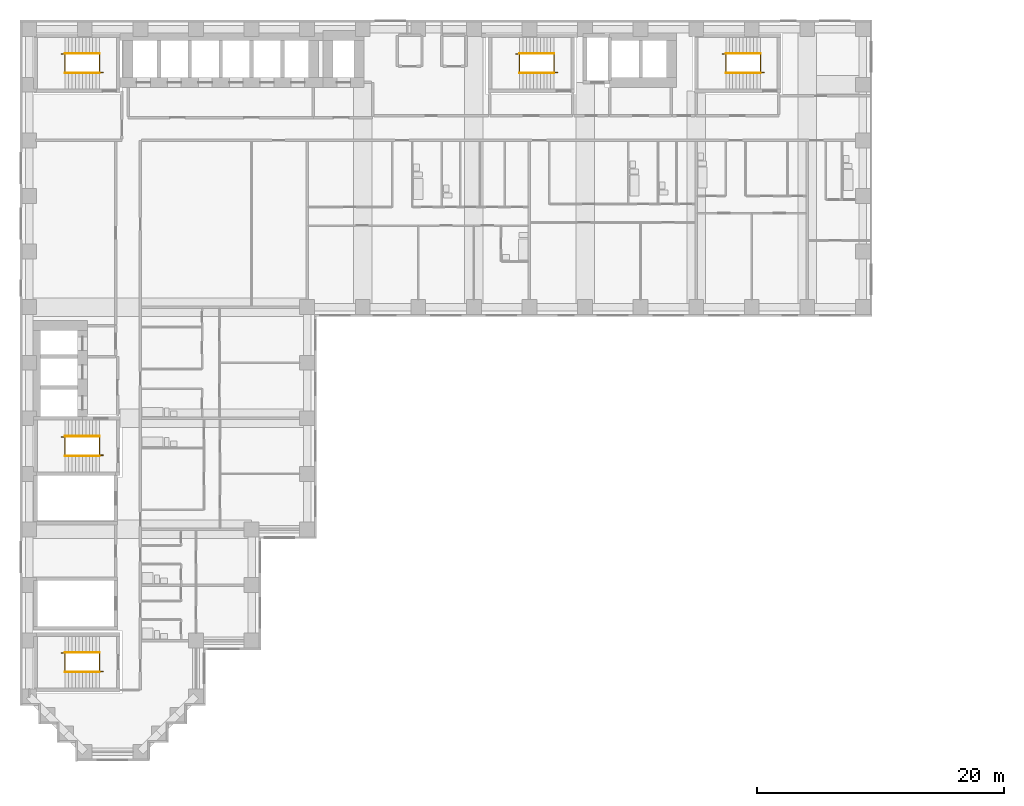
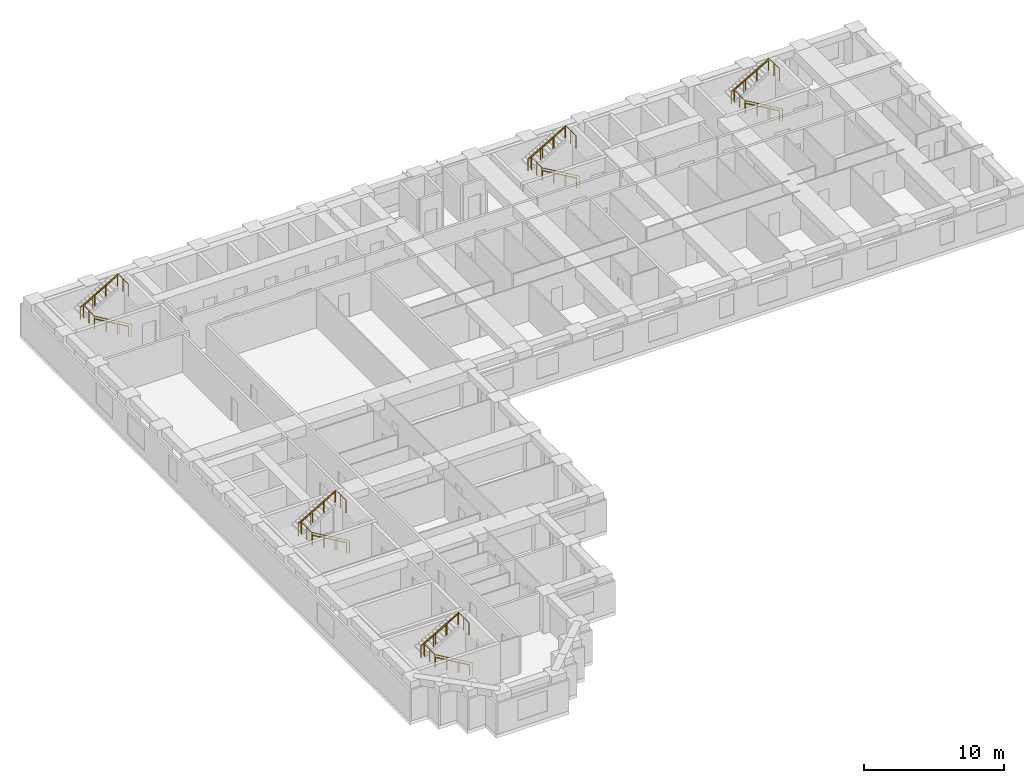
# One storey, part 11 of 12: 15 railings.
"""IFC4 building model written with IfcOpenShell, lengths in metres."""

import ifcopenshell
import ifcopenshell.guid

model = None  # the IFC model being written
_history = None  # IfcOwnerHistory: only IFC2X3 demands one
_inside = {}  # id of a spatial element -> (the spatial element, [elements in it])
_under = {}  # id of a project, library or spatial element -> (it, [spatial elements below it])
_declared = {}  # id of a project -> (the project, [libraries it declares])
_typed = {}  # id of a type object -> (the type object, [elements of that type])
_made_of = {}  # id of a material, layer set ... -> (it, [elements and type objects made of it])


def new_model(schema):
    """Start an empty IFC model of exactly this schema.

    Asked for "IFC4X3", IfcOpenShell would pick the latest addendum, in which some entities
    have other attributes; the version numbers below select the first issue.
    IFC2X3 requires an IfcOwnerHistory on every rooted entity: one is made here for all.
    """
    global model, _history
    if schema == "IFC4X3":
        model = ifcopenshell.file(schema_version=(4, 3, 0, 0))
    else:
        model = ifcopenshell.file(schema=schema)
    _inside.clear()
    _under.clear()
    _declared.clear()
    _typed.clear()
    _made_of.clear()
    _history = None
    if model.schema == "IFC2X3":
        org = make("IfcOrganization", Name="unknown")
        user = make(
            "IfcPersonAndOrganization",
            ThePerson=make("IfcPerson", FamilyName="unknown"),
            TheOrganization=org,
        )
        app = make(
            "IfcApplication",
            ApplicationDeveloper=org,
            Version="unknown",
            ApplicationFullName="unknown",
            ApplicationIdentifier="unknown",
        )
        _history = make(
            "IfcOwnerHistory",
            OwningUser=user,
            OwningApplication=app,
            ChangeAction="ADDED",
            CreationDate=0,
        )
    return model


def make(cls, **values):
    """One entity of the class cls with the attributes given. An attribute that is None is left unset."""
    return model.create_entity(
        cls, **{name: value for name, value in values.items() if value is not None}
    )


def rooted(cls, **values):
    """An entity with a GlobalId (a new one), such as an element, a storey or a relation."""
    return make(cls, GlobalId=ifcopenshell.guid.new(), OwnerHistory=_history, **values)


def si_unit(unit_type, name, prefix=None):
    """IfcSIUnit, for example si_unit("LENGTHUNIT", "METRE", prefix="MILLI")."""
    return make("IfcSIUnit", UnitType=unit_type, Prefix=prefix, Name=name)


def assignment(units):
    """IfcUnitAssignment: the units of a project."""
    return None if units is None else make("IfcUnitAssignment", Units=units)


def point(xyz):
    """IfcCartesianPoint."""
    return None if xyz is None else make("IfcCartesianPoint", Coordinates=xyz)


def direction(xyz):
    """IfcDirection."""
    return None if xyz is None else make("IfcDirection", DirectionRatios=xyz)


def frame(location, z_axis=None, x_axis=None):
    """IfcAxis2Placement3D, a coordinate frame: its origin and axes. An axis left out is left unset."""
    return make(
        "IfcAxis2Placement3D",
        Location=point(location),
        Axis=direction(z_axis),
        RefDirection=direction(x_axis),
    )


def frame_2d(location, x_axis=None):
    """IfcAxis2Placement2D, a coordinate frame in the plane: its origin and x axis."""
    return make(
        "IfcAxis2Placement2D", Location=point(location), RefDirection=direction(x_axis)
    )


def origin():
    """The frame at (0, 0, 0) with its axes left unset."""
    return frame((0.0, 0.0, 0.0))


def origin_2d():
    """The frame at (0, 0) in the plane with its x axis left unset."""
    return frame_2d((0.0, 0.0))


def place(relative_to, where):
    """IfcLocalPlacement: puts the frame where relative to a parent placement (None: the world)."""
    return make(
        "IfcLocalPlacement", PlacementRelTo=relative_to, RelativePlacement=where
    )


def context(
    kind, dimensions, precision=None, world=None, true_north=None, identifier=None
):
    """IfcGeometricRepresentationContext, for example the 3D "Model" context."""
    return make(
        "IfcGeometricRepresentationContext",
        ContextIdentifier=identifier,
        ContextType=kind,
        CoordinateSpaceDimension=dimensions,
        Precision=precision,
        WorldCoordinateSystem=world,
        TrueNorth=true_north,
    )


def subcontext(parent, identifier, kind, view, scale=None):
    """IfcGeometricRepresentationSubContext, for example "Body" below "Model"."""
    return make(
        "IfcGeometricRepresentationSubContext",
        ContextIdentifier=identifier,
        ContextType=kind,
        ParentContext=parent,
        TargetScale=scale,
        TargetView=view,
    )


def project(units=None, contexts=None):
    """IfcProject with its units and contexts."""
    return rooted(
        "IfcProject",
        Name="project",
        RepresentationContexts=contexts,
        UnitsInContext=assignment(units),
    )


def spatial(cls, under=None, at=None, **own):
    """A site, building, storey or space (cls), placed at a placement, below another one or the project."""
    s = rooted(cls, ObjectPlacement=at, **own)
    if under is not None:
        _under.setdefault(under.id(), (under, []))[1].append(s)
    return s


def profile(cls, at=None, kind="AREA", **sizes):
    """A parametric profile (cls). Its sizes go by their IFC names, for example OverallWidth=200.0."""
    return make(cls, ProfileType=kind, Position=at, **sizes)


def circle(**sizes):
    """IfcCircleProfileDef."""
    return profile("IfcCircleProfileDef", **sizes)


def extrude(swept, where, along, depth):
    """IfcExtrudedAreaSolid: the profile swept, set in the frame where, extruded along a direction by depth."""
    return make(
        "IfcExtrudedAreaSolid",
        SweptArea=swept,
        Position=where,
        ExtrudedDirection=direction(along),
        Depth=depth,
    )


def shape(context_of_items, identifier, shape_type, items):
    """IfcShapeRepresentation: the items that make up one representation, for example the "Body"."""
    return make(
        "IfcShapeRepresentation",
        ContextOfItems=context_of_items,
        RepresentationIdentifier=identifier,
        RepresentationType=shape_type,
        Items=items,
    )


def material(Name=None, Category=None):
    """IfcMaterial."""
    return make("IfcMaterial", Name=Name, Category=Category)


def made_of(thing, what):
    """Note that an element or type object is made of a material, layer set ...; save() writes the relation."""
    if what is not None:
        _made_of.setdefault(what.id(), (what, []))[1].append(thing)
    return thing


def type_object(cls, material=None, **own):
    """A type object (cls), such as IfcWallType, which elements share."""
    return made_of(rooted(cls, **own), material)


def element(
    cls,
    number,
    at=None,
    inside=None,
    cuts=None,
    type_object=None,
    material=None,
    context=None,
    identifier="Body",
    shape_type=None,
    held_by="IfcProductDefinitionShape",
    body=None,
    shapes=None,
    **own,
):
    """One element of the class cls, such as IfcWall. Its Tag is "e" and its number.

    at: its placement. inside: the storey or other place that contains it. cuts: it is an
    opening in that element (IfcRelVoidsElement). A single representation is given by context,
    identifier, shape_type and body (its items); several are given by shapes. held_by: the class
    of the entity that holds the representations. save() writes the other relations.
    """
    e = rooted(cls, Tag="e%d" % number, ObjectPlacement=at, **own)
    if body is not None:
        shapes = [shape(context, identifier, shape_type, body)]
    if shapes is not None:
        e.Representation = make(held_by, Representations=shapes)
    if inside is not None:
        _inside.setdefault(inside.id(), (inside, []))[1].append(e)
    if cuts is not None:
        rooted(
            "IfcRelVoidsElement", RelatingBuildingElement=cuts, RelatedOpeningElement=e
        )
    if type_object is not None:
        _typed.setdefault(type_object.id(), (type_object, []))[1].append(e)
    return made_of(e, material)


def aggregate(whole, parts):
    """IfcRelAggregates: a whole, such as a stair, and the parts it consists of."""
    return rooted("IfcRelAggregates", RelatingObject=whole, RelatedObjects=parts)


def save(model, path):
    """Write the relations noted so far, then the file.

    IfcRelAggregates (storeys below a building ...), IfcRelContainedInSpatialStructure (elements
    in a storey), IfcRelDefinesByType, IfcRelAssociatesMaterial and IfcRelDeclares: one each for
    every whole, place, type object, material and project.
    """
    for whole, parts in _under.values():
        aggregate(whole, parts)
    for where, things in _inside.values():
        rooted(
            "IfcRelContainedInSpatialStructure",
            RelatedElements=things,
            RelatingStructure=where,
        )
    for kind, things in _typed.values():
        rooted("IfcRelDefinesByType", RelatedObjects=things, RelatingType=kind)
    for what, things in _made_of.values():
        rooted("IfcRelAssociatesMaterial", RelatedObjects=things, RelatingMaterial=what)
    for by, libraries in _declared.values():
        rooted("IfcRelDeclares", RelatingContext=by, RelatedDefinitions=libraries)
    model.write(path)


model = new_model("IFC4")

# Units and contexts
model_context = context("Model", 3, precision=1e-05, world=origin(), true_north=direction((0.0, 1.0)))
body_context = subcontext(model_context, "Body", "Model", "MODEL_VIEW")
ifc_project = project(units=[si_unit("LENGTHUNIT", "METRE"), si_unit("AREAUNIT", "SQUARE_METRE"), si_unit("VOLUMEUNIT", "CUBIC_METRE"), si_unit("PLANEANGLEUNIT", "RADIAN"), si_unit("MASSUNIT", "GRAM", prefix="KILO")], contexts=[model_context])

# Site, building, storey
site_placement = place(None, origin())
site = spatial("IfcSite", under=ifc_project, at=site_placement, CompositionType="ELEMENT")
building_placement = place(site_placement, origin())
building = spatial("IfcBuilding", under=site, at=building_placement, Name="Firuza Court", CompositionType="ELEMENT")
storey_placement = place(building_placement, frame((0.0, 0.0, 36.199951171875)))
storey = spatial("IfcBuildingStorey", under=building, at=storey_placement, Name="L07", CompositionType="ELEMENT", Elevation=36.199951171875)

# Railings
ifc_material_1 = material(Name="Steel S355", Category="steel")
railing_type_1 = type_object("IfcRailingType", Name="Handrail 900", PredefinedType="HANDRAIL", material=ifc_material_1)
railing_1_placement = place(storey_placement, frame((42.5, 54.949951171875, 0.16357421875)))
element("IfcRailing", 1, at=railing_1_placement, inside=storey, type_object=railing_type_1, Name="Handrail S1 flight 1", PredefinedType="HANDRAIL", context=body_context, shape_type="SweptSolid", body=[
    extrude(circle(Radius=0.02490234375, at=origin_2d()), frame((0.0, 0.0, 0.875), z_axis=(-0.863360870873, 0.0, 0.504586966384), x_axis=(0.0, -1.0, 0.0)), (0.0, 0.0, 1.0), 3.2431640625),
    extrude(circle(Radius=0.02001953125, at=origin_2d()), origin(), (0.0, 0.0, 1.0), 0.849853515625),
    extrude(circle(Radius=0.02001953125, at=origin_2d()), frame((-0.933349609375, 0.0, 0.54541015625)), (0.0, 0.0, 1.0), 0.849853515625),
    extrude(circle(Radius=0.02001953125, at=origin_2d()), frame((-1.86669921875, 0.0, 1.091064453125)), (0.0, 0.0, 1.0), 0.849853515625),
    extrude(circle(Radius=0.02001953125, at=origin_2d()), frame((-2.800048828125, 0.0, 1.636474609375)), (0.0, 0.0, 1.0), 0.849853515625),
])
railing_2_placement = place(storey_placement, frame((39.699951171875, 56.550048828125, 1.963623046875)))
element("IfcRailing", 2, at=railing_2_placement, inside=storey, type_object=railing_type_1, Name="Handrail S1 flight 2", PredefinedType="HANDRAIL", context=body_context, shape_type="SweptSolid", body=[
    extrude(circle(Radius=0.02490234375, at=origin_2d()), frame((0.0, 0.0, 0.875), z_axis=(0.863360870873, 0.0, 0.504586966384), x_axis=(0.0, 1.0, 0.0)), (0.0, 0.0, 1.0), 3.2431640625),
    extrude(circle(Radius=0.02001953125, at=origin_2d()), origin(), (0.0, 0.0, 1.0), 0.849853515625),
    extrude(circle(Radius=0.02001953125, at=origin_2d()), frame((0.933349609375, 0.0, 0.54541015625)), (0.0, 0.0, 1.0), 0.849853515625),
    extrude(circle(Radius=0.02001953125, at=origin_2d()), frame((1.86669921875, 0.0, 1.091064453125)), (0.0, 0.0, 1.0), 0.849853515625),
    extrude(circle(Radius=0.02001953125, at=origin_2d()), frame((2.800048828125, 0.0, 1.636474609375)), (0.0, 0.0, 1.0), 0.849853515625),
])
railing_3_placement = place(storey_placement, frame((5.699951171875, 23.949951171875, 0.16357421875)))
element("IfcRailing", 3, at=railing_3_placement, inside=storey, type_object=railing_type_1, Name="Handrail S2 flight 1", PredefinedType="HANDRAIL", context=body_context, shape_type="SweptSolid", body=[
    extrude(circle(Radius=0.02490234375, at=origin_2d()), frame((0.0, 0.0, 0.875), z_axis=(-0.863360870873, 0.0, 0.504586966384), x_axis=(0.0, -1.0, 0.0)), (0.0, 0.0, 1.0), 3.2431640625),
    extrude(circle(Radius=0.02001953125, at=origin_2d()), origin(), (0.0, 0.0, 1.0), 0.849853515625),
    extrude(circle(Radius=0.02001953125, at=origin_2d()), frame((-0.933349609375, 0.0, 0.54541015625)), (0.0, 0.0, 1.0), 0.849853515625),
    extrude(circle(Radius=0.02001953125, at=origin_2d()), frame((-1.86669921875, 0.0, 1.091064453125)), (0.0, 0.0, 1.0), 0.849853515625),
    extrude(circle(Radius=0.02001953125, at=origin_2d()), frame((-2.800048828125, 0.0, 1.636474609375)), (0.0, 0.0, 1.0), 0.849853515625),
])
railing_4_placement = place(storey_placement, frame((2.89990234375, 25.550048828125, 1.963623046875)))
element("IfcRailing", 4, at=railing_4_placement, inside=storey, type_object=railing_type_1, Name="Handrail S2 flight 2", PredefinedType="HANDRAIL", context=body_context, shape_type="SweptSolid", body=[
    extrude(circle(Radius=0.02490234375, at=origin_2d()), frame((0.0, 0.0, 0.875), z_axis=(0.863360870873, 0.0, 0.504586966384), x_axis=(0.0, 1.0, 0.0)), (0.0, 0.0, 1.0), 3.2431640625),
    extrude(circle(Radius=0.02001953125, at=origin_2d()), origin(), (0.0, 0.0, 1.0), 0.849853515625),
    extrude(circle(Radius=0.02001953125, at=origin_2d()), frame((0.933349609375, 0.0, 0.54541015625)), (0.0, 0.0, 1.0), 0.849853515625),
    extrude(circle(Radius=0.02001953125, at=origin_2d()), frame((1.86669921875, 0.0, 1.091064453125)), (0.0, 0.0, 1.0), 0.849853515625),
    extrude(circle(Radius=0.02001953125, at=origin_2d()), frame((2.800048828125, 0.0, 1.636474609375)), (0.0, 0.0, 1.0), 0.849853515625),
])
railing_5_placement = place(storey_placement, frame((5.699951171875, 54.949951171875, 0.16357421875)))
element("IfcRailing", 5, at=railing_5_placement, inside=storey, type_object=railing_type_1, Name="Handrail S3 flight 1", PredefinedType="HANDRAIL", context=body_context, shape_type="SweptSolid", body=[
    extrude(circle(Radius=0.02490234375, at=origin_2d()), frame((0.0, 0.0, 0.875), z_axis=(-0.863360870873, 0.0, 0.504586966384), x_axis=(0.0, -1.0, 0.0)), (0.0, 0.0, 1.0), 3.2431640625),
    extrude(circle(Radius=0.02001953125, at=origin_2d()), origin(), (0.0, 0.0, 1.0), 0.849853515625),
    extrude(circle(Radius=0.02001953125, at=origin_2d()), frame((-0.933349609375, 0.0, 0.54541015625)), (0.0, 0.0, 1.0), 0.849853515625),
    extrude(circle(Radius=0.02001953125, at=origin_2d()), frame((-1.86669921875, 0.0, 1.091064453125)), (0.0, 0.0, 1.0), 0.849853515625),
    extrude(circle(Radius=0.02001953125, at=origin_2d()), frame((-2.800048828125, 0.0, 1.636474609375)), (0.0, 0.0, 1.0), 0.849853515625),
])
railing_6_placement = place(storey_placement, frame((2.89990234375, 56.550048828125, 1.963623046875)))
element("IfcRailing", 6, at=railing_6_placement, inside=storey, type_object=railing_type_1, Name="Handrail S3 flight 2", PredefinedType="HANDRAIL", context=body_context, shape_type="SweptSolid", body=[
    extrude(circle(Radius=0.02490234375, at=origin_2d()), frame((0.0, 0.0, 0.875), z_axis=(0.863360870873, 0.0, 0.504586966384), x_axis=(0.0, 1.0, 0.0)), (0.0, 0.0, 1.0), 3.2431640625),
    extrude(circle(Radius=0.02001953125, at=origin_2d()), origin(), (0.0, 0.0, 1.0), 0.849853515625),
    extrude(circle(Radius=0.02001953125, at=origin_2d()), frame((0.933349609375, 0.0, 0.54541015625)), (0.0, 0.0, 1.0), 0.849853515625),
    extrude(circle(Radius=0.02001953125, at=origin_2d()), frame((1.86669921875, 0.0, 1.091064453125)), (0.0, 0.0, 1.0), 0.849853515625),
    extrude(circle(Radius=0.02001953125, at=origin_2d()), frame((2.800048828125, 0.0, 1.636474609375)), (0.0, 0.0, 1.0), 0.849853515625),
])
railing_7_placement = place(storey_placement, frame((59.199951171875, 54.949951171875, 0.16357421875)))
element("IfcRailing", 7, at=railing_7_placement, inside=storey, type_object=railing_type_1, Name="Handrail S4 flight 1", PredefinedType="HANDRAIL", context=body_context, shape_type="SweptSolid", body=[
    extrude(circle(Radius=0.02490234375, at=origin_2d()), frame((0.0, 0.0, 0.875), z_axis=(-0.863360870873, 0.0, 0.504586966384), x_axis=(0.0, -1.0, 0.0)), (0.0, 0.0, 1.0), 3.2431640625),
    extrude(circle(Radius=0.02001953125, at=origin_2d()), origin(), (0.0, 0.0, 1.0), 0.849853515625),
    extrude(circle(Radius=0.02001953125, at=origin_2d()), frame((-0.933349609375, 0.0, 0.54541015625)), (0.0, 0.0, 1.0), 0.849853515625),
    extrude(circle(Radius=0.02001953125, at=origin_2d()), frame((-1.86669921875, 0.0, 1.091064453125)), (0.0, 0.0, 1.0), 0.849853515625),
    extrude(circle(Radius=0.02001953125, at=origin_2d()), frame((-2.800048828125, 0.0, 1.636474609375)), (0.0, 0.0, 1.0), 0.849853515625),
])
railing_8_placement = place(storey_placement, frame((56.39990234375, 56.550048828125, 1.963623046875)))
element("IfcRailing", 8, at=railing_8_placement, inside=storey, type_object=railing_type_1, Name="Handrail S4 flight 2", PredefinedType="HANDRAIL", context=body_context, shape_type="SweptSolid", body=[
    extrude(circle(Radius=0.02490234375, at=origin_2d()), frame((0.0, 0.0, 0.875), z_axis=(0.863360870873, 0.0, 0.504586966384), x_axis=(0.0, 1.0, 0.0)), (0.0, 0.0, 1.0), 3.2431640625),
    extrude(circle(Radius=0.02001953125, at=origin_2d()), origin(), (0.0, 0.0, 1.0), 0.849853515625),
    extrude(circle(Radius=0.02001953125, at=origin_2d()), frame((0.933349609375, 0.0, 0.54541015625)), (0.0, 0.0, 1.0), 0.849853515625),
    extrude(circle(Radius=0.02001953125, at=origin_2d()), frame((1.86669921875, 0.0, 1.091064453125)), (0.0, 0.0, 1.0), 0.849853515625),
    extrude(circle(Radius=0.02001953125, at=origin_2d()), frame((2.800048828125, 0.0, 1.636474609375)), (0.0, 0.0, 1.0), 0.849853515625),
])
railing_9_placement = place(storey_placement, frame((5.699951171875, 6.449951171875, 0.16357421875)))
element("IfcRailing", 9, at=railing_9_placement, inside=storey, type_object=railing_type_1, Name="Handrail S5 flight 1", PredefinedType="HANDRAIL", context=body_context, shape_type="SweptSolid", body=[
    extrude(circle(Radius=0.02490234375, at=origin_2d()), frame((0.0, 0.0, 0.875), z_axis=(-0.863360870873, 0.0, 0.504586966384), x_axis=(0.0, -1.0, 0.0)), (0.0, 0.0, 1.0), 3.2431640625),
    extrude(circle(Radius=0.02001953125, at=origin_2d()), origin(), (0.0, 0.0, 1.0), 0.849853515625),
    extrude(circle(Radius=0.02001953125, at=origin_2d()), frame((-0.933349609375, 0.0, 0.54541015625)), (0.0, 0.0, 1.0), 0.849853515625),
    extrude(circle(Radius=0.02001953125, at=origin_2d()), frame((-1.86669921875, 0.0, 1.091064453125)), (0.0, 0.0, 1.0), 0.849853515625),
    extrude(circle(Radius=0.02001953125, at=origin_2d()), frame((-2.800048828125, 0.0, 1.636474609375)), (0.0, 0.0, 1.0), 0.849853515625),
])
railing_10_placement = place(storey_placement, frame((2.89990234375, 8.050048828125, 1.963623046875)))
element("IfcRailing", 10, at=railing_10_placement, inside=storey, type_object=railing_type_1, Name="Handrail S5 flight 2", PredefinedType="HANDRAIL", context=body_context, shape_type="SweptSolid", body=[
    extrude(circle(Radius=0.02490234375, at=origin_2d()), frame((0.0, 0.0, 0.875), z_axis=(0.863360870873, 0.0, 0.504586966384), x_axis=(0.0, 1.0, 0.0)), (0.0, 0.0, 1.0), 3.2431640625),
    extrude(circle(Radius=0.02001953125, at=origin_2d()), origin(), (0.0, 0.0, 1.0), 0.849853515625),
    extrude(circle(Radius=0.02001953125, at=origin_2d()), frame((0.933349609375, 0.0, 0.54541015625)), (0.0, 0.0, 1.0), 0.849853515625),
    extrude(circle(Radius=0.02001953125, at=origin_2d()), frame((1.86669921875, 0.0, 1.091064453125)), (0.0, 0.0, 1.0), 0.849853515625),
    extrude(circle(Radius=0.02001953125, at=origin_2d()), frame((2.800048828125, 0.0, 1.636474609375)), (0.0, 0.0, 1.0), 0.849853515625),
])
ifc_material_2 = material(Name="Steel S355", Category="steel")
railing_type_2 = type_object("IfcRailingType", Name="Stair guard 1100", PredefinedType="GUARDRAIL", material=ifc_material_2)
railing_11_placement = place(storey_placement, frame((42.780029296875, 55.010009765625, 0.0)))
element("IfcRailing", 11, at=railing_11_placement, inside=storey, type_object=railing_type_2, Name="Stair well guard S1", PredefinedType="GUARDRAIL", context=body_context, shape_type="SweptSolid", body=[
    extrude(circle(Radius=0.02490234375, at=origin_2d()), frame((0.0, 0.0, 1.0751953125), z_axis=(-0.863371556955, 0.0, 0.504568681787), x_axis=(0.0, -1.0, 0.0)), (0.0, 0.0, 1.0), 3.5673828125),
    extrude(circle(Radius=0.02490234375, at=origin_2d()), frame((-3.080078125, 0.0, 2.875), z_axis=(0.0, 1.0, 0.0), x_axis=(-1.0, 0.0, 0.0)), (0.0, 0.0, 1.0), 1.47998046875),
    extrude(circle(Radius=0.02490234375, at=origin_2d()), frame((-3.080078125, 1.47998046875, 2.875), z_axis=(-1.0, 0.0, 0.0), x_axis=(0.0, -1.0, 0.0)), (0.0, 0.0, 1.0), 0.280029296875),
    extrude(circle(Radius=0.02490234375, at=origin_2d()), frame((-3.360107421875, 1.47998046875, 2.875), z_axis=(0.863371556955, 0.0, 0.504568681787), x_axis=(0.0, 1.0, 0.0)), (0.0, 0.0, 1.0), 3.5673828125),
    extrude(circle(Radius=0.02490234375, at=origin_2d()), frame((-0.280029296875, 1.47998046875, 4.67529296875), z_axis=(0.0, -1.0, 0.0), x_axis=(1.0, 0.0, 0.0)), (0.0, 0.0, 1.0), 1.47998046875),
    extrude(circle(Radius=0.02490234375, at=origin_2d()), origin(), (0.0, 0.0, 1.0), 1.050048828125),
    extrude(circle(Radius=0.02490234375, at=origin_2d()), frame((-1.026611328125, 0.0, 0.60009765625)), (0.0, 0.0, 1.0), 1.050048828125),
    extrude(circle(Radius=0.02490234375, at=origin_2d()), frame((-2.053466796875, 0.0, 1.199951171875)), (0.0, 0.0, 1.0), 1.050048828125),
    extrude(circle(Radius=0.02490234375, at=origin_2d()), frame((-3.080078125, 0.0, 1.800048828125)), (0.0, 0.0, 1.0), 1.050048828125),
    extrude(circle(Radius=0.02490234375, at=origin_2d()), frame((-3.080078125, 0.739990234375, 1.800048828125)), (0.0, 0.0, 1.0), 1.050048828125),
    extrude(circle(Radius=0.02490234375, at=origin_2d()), frame((-3.080078125, 1.47998046875, 1.800048828125)), (0.0, 0.0, 1.0), 1.050048828125),
    extrude(circle(Radius=0.02490234375, at=origin_2d()), frame((-3.360107421875, 1.47998046875, 1.800048828125)), (0.0, 0.0, 1.0), 1.050048828125),
    extrude(circle(Radius=0.02490234375, at=origin_2d()), frame((-2.33349609375, 1.47998046875, 2.400146484375)), (0.0, 0.0, 1.0), 1.050048828125),
    extrude(circle(Radius=0.02490234375, at=origin_2d()), frame((-1.306640625, 1.47998046875, 3.0)), (0.0, 0.0, 1.0), 1.050048828125),
    extrude(circle(Radius=0.02490234375, at=origin_2d()), frame((-0.280029296875, 1.47998046875, 3.60009765625)), (0.0, 0.0, 1.0), 1.050048828125),
    extrude(circle(Radius=0.02490234375, at=origin_2d()), frame((-0.280029296875, 0.739990234375, 3.60009765625)), (0.0, 0.0, 1.0), 1.050048828125),
    extrude(circle(Radius=0.02490234375, at=origin_2d()), frame((-0.280029296875, 0.0, 3.60009765625)), (0.0, 0.0, 1.0), 1.050048828125),
])
railing_12_placement = place(storey_placement, frame((5.97998046875, 24.010009765625, 0.0)))
element("IfcRailing", 12, at=railing_12_placement, inside=storey, type_object=railing_type_2, Name="Stair well guard S2", PredefinedType="GUARDRAIL", context=body_context, shape_type="SweptSolid", body=[
    extrude(circle(Radius=0.02490234375, at=origin_2d()), frame((0.0, 0.0, 1.0751953125), z_axis=(-0.863371556955, 0.0, 0.504568681787), x_axis=(0.0, -1.0, 0.0)), (0.0, 0.0, 1.0), 3.5673828125),
    extrude(circle(Radius=0.02490234375, at=origin_2d()), frame((-3.080078125, 0.0, 2.875), z_axis=(0.0, 1.0, 0.0), x_axis=(-1.0, 0.0, 0.0)), (0.0, 0.0, 1.0), 1.47998046875),
    extrude(circle(Radius=0.02490234375, at=origin_2d()), frame((-3.080078125, 1.47998046875, 2.875), z_axis=(-1.0, 0.0, 0.0), x_axis=(0.0, -1.0, 0.0)), (0.0, 0.0, 1.0), 0.27978515625),
    extrude(circle(Radius=0.02490234375, at=origin_2d()), frame((-3.35986328125, 1.47998046875, 2.875), z_axis=(0.863354132664, 0.0, 0.504598495452), x_axis=(0.0, 1.0, 0.0)), (0.0, 0.0, 1.0), 3.5673828125),
    extrude(circle(Radius=0.02490234375, at=origin_2d()), frame((-0.280029296875, 1.47998046875, 4.67529296875), z_axis=(0.0, -1.0, 0.0), x_axis=(1.0, 0.0, 0.0)), (0.0, 0.0, 1.0), 1.47998046875),
    extrude(circle(Radius=0.02490234375, at=origin_2d()), origin(), (0.0, 0.0, 1.0), 1.050048828125),
    extrude(circle(Radius=0.02490234375, at=origin_2d()), frame((-1.026611328125, 0.0, 0.60009765625)), (0.0, 0.0, 1.0), 1.050048828125),
    extrude(circle(Radius=0.02490234375, at=origin_2d()), frame((-2.053466796875, 0.0, 1.199951171875)), (0.0, 0.0, 1.0), 1.050048828125),
    extrude(circle(Radius=0.02490234375, at=origin_2d()), frame((-3.080078125, 0.0, 1.800048828125)), (0.0, 0.0, 1.0), 1.050048828125),
    extrude(circle(Radius=0.02490234375, at=origin_2d()), frame((-3.080078125, 0.739990234375, 1.800048828125)), (0.0, 0.0, 1.0), 1.050048828125),
    extrude(circle(Radius=0.02490234375, at=origin_2d()), frame((-3.080078125, 1.47998046875, 1.800048828125)), (0.0, 0.0, 1.0), 1.050048828125),
    extrude(circle(Radius=0.02490234375, at=origin_2d()), frame((-3.35986328125, 1.47998046875, 1.800048828125)), (0.0, 0.0, 1.0), 1.050048828125),
    extrude(circle(Radius=0.02490234375, at=origin_2d()), frame((-2.333251953125, 1.47998046875, 2.400146484375)), (0.0, 0.0, 1.0), 1.050048828125),
    extrude(circle(Radius=0.02490234375, at=origin_2d()), frame((-1.306640625, 1.47998046875, 3.0)), (0.0, 0.0, 1.0), 1.050048828125),
    extrude(circle(Radius=0.02490234375, at=origin_2d()), frame((-0.280029296875, 1.47998046875, 3.60009765625)), (0.0, 0.0, 1.0), 1.050048828125),
    extrude(circle(Radius=0.02490234375, at=origin_2d()), frame((-0.280029296875, 0.739990234375, 3.60009765625)), (0.0, 0.0, 1.0), 1.050048828125),
    extrude(circle(Radius=0.02490234375, at=origin_2d()), frame((-0.280029296875, 0.0, 3.60009765625)), (0.0, 0.0, 1.0), 1.050048828125),
])
railing_13_placement = place(storey_placement, frame((5.97998046875, 55.010009765625, 0.0)))
element("IfcRailing", 13, at=railing_13_placement, inside=storey, type_object=railing_type_2, Name="Stair well guard S3", PredefinedType="GUARDRAIL", context=body_context, shape_type="SweptSolid", body=[
    extrude(circle(Radius=0.02490234375, at=origin_2d()), frame((0.0, 0.0, 1.0751953125), z_axis=(-0.863371556955, 0.0, 0.504568681787), x_axis=(0.0, -1.0, 0.0)), (0.0, 0.0, 1.0), 3.5673828125),
    extrude(circle(Radius=0.02490234375, at=origin_2d()), frame((-3.080078125, 0.0, 2.875), z_axis=(0.0, 1.0, 0.0), x_axis=(-1.0, 0.0, 0.0)), (0.0, 0.0, 1.0), 1.47998046875),
    extrude(circle(Radius=0.02490234375, at=origin_2d()), frame((-3.080078125, 1.47998046875, 2.875), z_axis=(-1.0, 0.0, 0.0), x_axis=(0.0, -1.0, 0.0)), (0.0, 0.0, 1.0), 0.27978515625),
    extrude(circle(Radius=0.02490234375, at=origin_2d()), frame((-3.35986328125, 1.47998046875, 2.875), z_axis=(0.863354132664, 0.0, 0.504598495452), x_axis=(0.0, 1.0, 0.0)), (0.0, 0.0, 1.0), 3.5673828125),
    extrude(circle(Radius=0.02490234375, at=origin_2d()), frame((-0.280029296875, 1.47998046875, 4.67529296875), z_axis=(0.0, -1.0, 0.0), x_axis=(1.0, 0.0, 0.0)), (0.0, 0.0, 1.0), 1.47998046875),
    extrude(circle(Radius=0.02490234375, at=origin_2d()), origin(), (0.0, 0.0, 1.0), 1.050048828125),
    extrude(circle(Radius=0.02490234375, at=origin_2d()), frame((-1.026611328125, 0.0, 0.60009765625)), (0.0, 0.0, 1.0), 1.050048828125),
    extrude(circle(Radius=0.02490234375, at=origin_2d()), frame((-2.053466796875, 0.0, 1.199951171875)), (0.0, 0.0, 1.0), 1.050048828125),
    extrude(circle(Radius=0.02490234375, at=origin_2d()), frame((-3.080078125, 0.0, 1.800048828125)), (0.0, 0.0, 1.0), 1.050048828125),
    extrude(circle(Radius=0.02490234375, at=origin_2d()), frame((-3.080078125, 0.739990234375, 1.800048828125)), (0.0, 0.0, 1.0), 1.050048828125),
    extrude(circle(Radius=0.02490234375, at=origin_2d()), frame((-3.080078125, 1.47998046875, 1.800048828125)), (0.0, 0.0, 1.0), 1.050048828125),
    extrude(circle(Radius=0.02490234375, at=origin_2d()), frame((-3.35986328125, 1.47998046875, 1.800048828125)), (0.0, 0.0, 1.0), 1.050048828125),
    extrude(circle(Radius=0.02490234375, at=origin_2d()), frame((-2.333251953125, 1.47998046875, 2.400146484375)), (0.0, 0.0, 1.0), 1.050048828125),
    extrude(circle(Radius=0.02490234375, at=origin_2d()), frame((-1.306640625, 1.47998046875, 3.0)), (0.0, 0.0, 1.0), 1.050048828125),
    extrude(circle(Radius=0.02490234375, at=origin_2d()), frame((-0.280029296875, 1.47998046875, 3.60009765625)), (0.0, 0.0, 1.0), 1.050048828125),
    extrude(circle(Radius=0.02490234375, at=origin_2d()), frame((-0.280029296875, 0.739990234375, 3.60009765625)), (0.0, 0.0, 1.0), 1.050048828125),
    extrude(circle(Radius=0.02490234375, at=origin_2d()), frame((-0.280029296875, 0.0, 3.60009765625)), (0.0, 0.0, 1.0), 1.050048828125),
])
railing_14_placement = place(storey_placement, frame((59.47998046875, 55.010009765625, 0.0)))
element("IfcRailing", 14, at=railing_14_placement, inside=storey, type_object=railing_type_2, Name="Stair well guard S4", PredefinedType="GUARDRAIL", context=body_context, shape_type="SweptSolid", body=[
    extrude(circle(Radius=0.02490234375, at=origin_2d()), frame((0.0, 0.0, 1.0751953125), z_axis=(-0.863371556955, 0.0, 0.504568681787), x_axis=(0.0, -1.0, 0.0)), (0.0, 0.0, 1.0), 3.5673828125),
    extrude(circle(Radius=0.02490234375, at=origin_2d()), frame((-3.080078125, 0.0, 2.875), z_axis=(0.0, 1.0, 0.0), x_axis=(-1.0, 0.0, 0.0)), (0.0, 0.0, 1.0), 1.47998046875),
    extrude(circle(Radius=0.02490234375, at=origin_2d()), frame((-3.080078125, 1.47998046875, 2.875), z_axis=(-1.0, 0.0, 0.0), x_axis=(0.0, -1.0, 0.0)), (0.0, 0.0, 1.0), 0.27978515625),
    extrude(circle(Radius=0.02490234375, at=origin_2d()), frame((-3.35986328125, 1.47998046875, 2.875), z_axis=(0.863354132664, 0.0, 0.504598495452), x_axis=(0.0, 1.0, 0.0)), (0.0, 0.0, 1.0), 3.5673828125),
    extrude(circle(Radius=0.02490234375, at=origin_2d()), frame((-0.280029296875, 1.47998046875, 4.67529296875), z_axis=(0.0, -1.0, 0.0), x_axis=(1.0, 0.0, 0.0)), (0.0, 0.0, 1.0), 1.47998046875),
    extrude(circle(Radius=0.02490234375, at=origin_2d()), origin(), (0.0, 0.0, 1.0), 1.050048828125),
    extrude(circle(Radius=0.02490234375, at=origin_2d()), frame((-1.026611328125, 0.0, 0.60009765625)), (0.0, 0.0, 1.0), 1.050048828125),
    extrude(circle(Radius=0.02490234375, at=origin_2d()), frame((-2.053466796875, 0.0, 1.199951171875)), (0.0, 0.0, 1.0), 1.050048828125),
    extrude(circle(Radius=0.02490234375, at=origin_2d()), frame((-3.080078125, 0.0, 1.800048828125)), (0.0, 0.0, 1.0), 1.050048828125),
    extrude(circle(Radius=0.02490234375, at=origin_2d()), frame((-3.080078125, 0.739990234375, 1.800048828125)), (0.0, 0.0, 1.0), 1.050048828125),
    extrude(circle(Radius=0.02490234375, at=origin_2d()), frame((-3.080078125, 1.47998046875, 1.800048828125)), (0.0, 0.0, 1.0), 1.050048828125),
    extrude(circle(Radius=0.02490234375, at=origin_2d()), frame((-3.35986328125, 1.47998046875, 1.800048828125)), (0.0, 0.0, 1.0), 1.050048828125),
    extrude(circle(Radius=0.02490234375, at=origin_2d()), frame((-2.333251953125, 1.47998046875, 2.400146484375)), (0.0, 0.0, 1.0), 1.050048828125),
    extrude(circle(Radius=0.02490234375, at=origin_2d()), frame((-1.306640625, 1.47998046875, 3.0)), (0.0, 0.0, 1.0), 1.050048828125),
    extrude(circle(Radius=0.02490234375, at=origin_2d()), frame((-0.280029296875, 1.47998046875, 3.60009765625)), (0.0, 0.0, 1.0), 1.050048828125),
    extrude(circle(Radius=0.02490234375, at=origin_2d()), frame((-0.280029296875, 0.739990234375, 3.60009765625)), (0.0, 0.0, 1.0), 1.050048828125),
    extrude(circle(Radius=0.02490234375, at=origin_2d()), frame((-0.280029296875, 0.0, 3.60009765625)), (0.0, 0.0, 1.0), 1.050048828125),
])
railing_15_placement = place(storey_placement, frame((5.97998046875, 6.510009765625, 0.0)))
element("IfcRailing", 15, at=railing_15_placement, inside=storey, type_object=railing_type_2, Name="Stair well guard S5", PredefinedType="GUARDRAIL", context=body_context, shape_type="SweptSolid", body=[
    extrude(circle(Radius=0.02490234375, at=origin_2d()), frame((0.0, 0.0, 1.0751953125), z_axis=(-0.863371556955, 0.0, 0.504568681787), x_axis=(0.0, -1.0, 0.0)), (0.0, 0.0, 1.0), 3.5673828125),
    extrude(circle(Radius=0.02490234375, at=origin_2d()), frame((-3.080078125, 0.0, 2.875), z_axis=(0.0, 1.0, 0.0), x_axis=(-1.0, 0.0, 0.0)), (0.0, 0.0, 1.0), 1.47998046875),
    extrude(circle(Radius=0.02490234375, at=origin_2d()), frame((-3.080078125, 1.47998046875, 2.875), z_axis=(-1.0, 0.0, 0.0), x_axis=(0.0, -1.0, 0.0)), (0.0, 0.0, 1.0), 0.27978515625),
    extrude(circle(Radius=0.02490234375, at=origin_2d()), frame((-3.35986328125, 1.47998046875, 2.875), z_axis=(0.863354132664, 0.0, 0.504598495452), x_axis=(0.0, 1.0, 0.0)), (0.0, 0.0, 1.0), 3.5673828125),
    extrude(circle(Radius=0.02490234375, at=origin_2d()), frame((-0.280029296875, 1.47998046875, 4.67529296875), z_axis=(0.0, -1.0, 0.0), x_axis=(1.0, 0.0, 0.0)), (0.0, 0.0, 1.0), 1.47998046875),
    extrude(circle(Radius=0.02490234375, at=origin_2d()), origin(), (0.0, 0.0, 1.0), 1.050048828125),
    extrude(circle(Radius=0.02490234375, at=origin_2d()), frame((-1.026611328125, 0.0, 0.60009765625)), (0.0, 0.0, 1.0), 1.050048828125),
    extrude(circle(Radius=0.02490234375, at=origin_2d()), frame((-2.053466796875, 0.0, 1.199951171875)), (0.0, 0.0, 1.0), 1.050048828125),
    extrude(circle(Radius=0.02490234375, at=origin_2d()), frame((-3.080078125, 0.0, 1.800048828125)), (0.0, 0.0, 1.0), 1.050048828125),
    extrude(circle(Radius=0.02490234375, at=origin_2d()), frame((-3.080078125, 0.739990234375, 1.800048828125)), (0.0, 0.0, 1.0), 1.050048828125),
    extrude(circle(Radius=0.02490234375, at=origin_2d()), frame((-3.080078125, 1.47998046875, 1.800048828125)), (0.0, 0.0, 1.0), 1.050048828125),
    extrude(circle(Radius=0.02490234375, at=origin_2d()), frame((-3.35986328125, 1.47998046875, 1.800048828125)), (0.0, 0.0, 1.0), 1.050048828125),
    extrude(circle(Radius=0.02490234375, at=origin_2d()), frame((-2.333251953125, 1.47998046875, 2.400146484375)), (0.0, 0.0, 1.0), 1.050048828125),
    extrude(circle(Radius=0.02490234375, at=origin_2d()), frame((-1.306640625, 1.47998046875, 3.0)), (0.0, 0.0, 1.0), 1.050048828125),
    extrude(circle(Radius=0.02490234375, at=origin_2d()), frame((-0.280029296875, 1.47998046875, 3.60009765625)), (0.0, 0.0, 1.0), 1.050048828125),
    extrude(circle(Radius=0.02490234375, at=origin_2d()), frame((-0.280029296875, 0.739990234375, 3.60009765625)), (0.0, 0.0, 1.0), 1.050048828125),
    extrude(circle(Radius=0.02490234375, at=origin_2d()), frame((-0.280029296875, 0.0, 3.60009765625)), (0.0, 0.0, 1.0), 1.050048828125),
])

save(model, "model.ifc")
